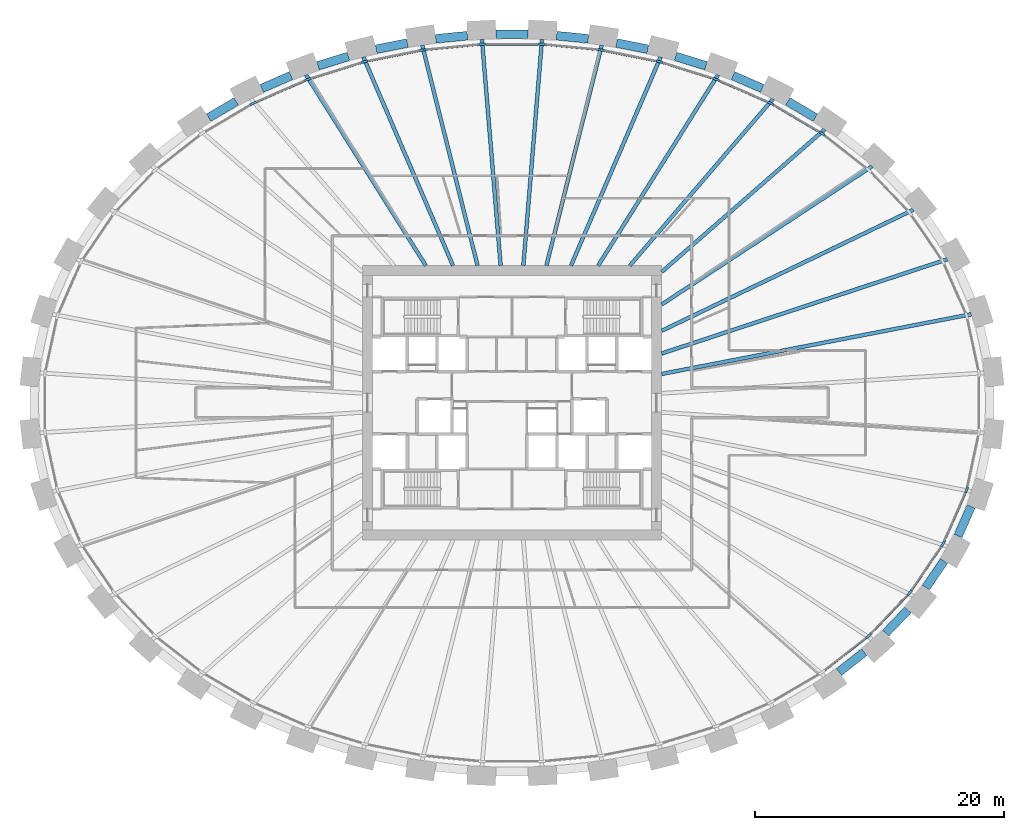
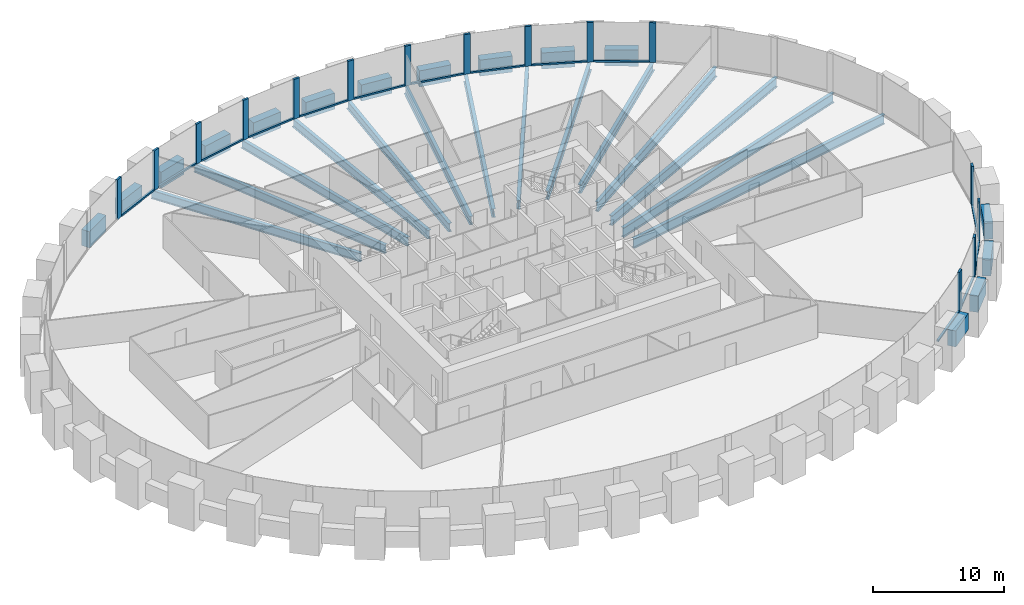
# One storey, part 3 of 11: 29 beams, 29 members, 1 element without a shape of its own.
"""IFC4 building model written with IfcOpenShell, lengths in metres."""

import ifcopenshell
import ifcopenshell.guid

model = None  # the IFC model being written
_history = None  # IfcOwnerHistory: only IFC2X3 demands one
_inside = {}  # id of a spatial element -> (the spatial element, [elements in it])
_under = {}  # id of a project, library or spatial element -> (it, [spatial elements below it])
_declared = {}  # id of a project -> (the project, [libraries it declares])
_typed = {}  # id of a type object -> (the type object, [elements of that type])
_made_of = {}  # id of a material, layer set ... -> (it, [elements and type objects made of it])


def new_model(schema):
    """Start an empty IFC model of exactly this schema.

    Asked for "IFC4X3", IfcOpenShell would pick the latest addendum, in which some entities
    have other attributes; the version numbers below select the first issue.
    IFC2X3 requires an IfcOwnerHistory on every rooted entity: one is made here for all.
    """
    global model, _history
    if schema == "IFC4X3":
        model = ifcopenshell.file(schema_version=(4, 3, 0, 0))
    else:
        model = ifcopenshell.file(schema=schema)
    _inside.clear()
    _under.clear()
    _declared.clear()
    _typed.clear()
    _made_of.clear()
    _history = None
    if model.schema == "IFC2X3":
        org = make("IfcOrganization", Name="unknown")
        user = make(
            "IfcPersonAndOrganization",
            ThePerson=make("IfcPerson", FamilyName="unknown"),
            TheOrganization=org,
        )
        app = make(
            "IfcApplication",
            ApplicationDeveloper=org,
            Version="unknown",
            ApplicationFullName="unknown",
            ApplicationIdentifier="unknown",
        )
        _history = make(
            "IfcOwnerHistory",
            OwningUser=user,
            OwningApplication=app,
            ChangeAction="ADDED",
            CreationDate=0,
        )
    return model


def make(cls, **values):
    """One entity of the class cls with the attributes given. An attribute that is None is left unset."""
    return model.create_entity(
        cls, **{name: value for name, value in values.items() if value is not None}
    )


def rooted(cls, **values):
    """An entity with a GlobalId (a new one), such as an element, a storey or a relation."""
    return make(cls, GlobalId=ifcopenshell.guid.new(), OwnerHistory=_history, **values)


def si_unit(unit_type, name, prefix=None):
    """IfcSIUnit, for example si_unit("LENGTHUNIT", "METRE", prefix="MILLI")."""
    return make("IfcSIUnit", UnitType=unit_type, Prefix=prefix, Name=name)


def assignment(units):
    """IfcUnitAssignment: the units of a project."""
    return None if units is None else make("IfcUnitAssignment", Units=units)


def point(xyz):
    """IfcCartesianPoint."""
    return None if xyz is None else make("IfcCartesianPoint", Coordinates=xyz)


def direction(xyz):
    """IfcDirection."""
    return None if xyz is None else make("IfcDirection", DirectionRatios=xyz)


def frame(location, z_axis=None, x_axis=None):
    """IfcAxis2Placement3D, a coordinate frame: its origin and axes. An axis left out is left unset."""
    return make(
        "IfcAxis2Placement3D",
        Location=point(location),
        Axis=direction(z_axis),
        RefDirection=direction(x_axis),
    )


def frame_2d(location, x_axis=None):
    """IfcAxis2Placement2D, a coordinate frame in the plane: its origin and x axis."""
    return make(
        "IfcAxis2Placement2D", Location=point(location), RefDirection=direction(x_axis)
    )


def origin():
    """The frame at (0, 0, 0) with its axes left unset."""
    return frame((0.0, 0.0, 0.0))


def origin_2d():
    """The frame at (0, 0) in the plane with its x axis left unset."""
    return frame_2d((0.0, 0.0))


def place(relative_to, where):
    """IfcLocalPlacement: puts the frame where relative to a parent placement (None: the world)."""
    return make(
        "IfcLocalPlacement", PlacementRelTo=relative_to, RelativePlacement=where
    )


def context(
    kind, dimensions, precision=None, world=None, true_north=None, identifier=None
):
    """IfcGeometricRepresentationContext, for example the 3D "Model" context."""
    return make(
        "IfcGeometricRepresentationContext",
        ContextIdentifier=identifier,
        ContextType=kind,
        CoordinateSpaceDimension=dimensions,
        Precision=precision,
        WorldCoordinateSystem=world,
        TrueNorth=true_north,
    )


def subcontext(parent, identifier, kind, view, scale=None):
    """IfcGeometricRepresentationSubContext, for example "Body" below "Model"."""
    return make(
        "IfcGeometricRepresentationSubContext",
        ContextIdentifier=identifier,
        ContextType=kind,
        ParentContext=parent,
        TargetScale=scale,
        TargetView=view,
    )


def project(units=None, contexts=None):
    """IfcProject with its units and contexts."""
    return rooted(
        "IfcProject",
        Name="project",
        RepresentationContexts=contexts,
        UnitsInContext=assignment(units),
    )


def spatial(cls, under=None, at=None, **own):
    """A site, building, storey or space (cls), placed at a placement, below another one or the project."""
    s = rooted(cls, ObjectPlacement=at, **own)
    if under is not None:
        _under.setdefault(under.id(), (under, []))[1].append(s)
    return s


def profile(cls, at=None, kind="AREA", **sizes):
    """A parametric profile (cls). Its sizes go by their IFC names, for example OverallWidth=200.0."""
    return make(cls, ProfileType=kind, Position=at, **sizes)


def rectangle(**sizes):
    """IfcRectangleProfileDef."""
    return profile("IfcRectangleProfileDef", **sizes)


def i_section(**sizes):
    """IfcIShapeProfileDef."""
    return profile("IfcIShapeProfileDef", **sizes)


def extrude(swept, where, along, depth):
    """IfcExtrudedAreaSolid: the profile swept, set in the frame where, extruded along a direction by depth."""
    return make(
        "IfcExtrudedAreaSolid",
        SweptArea=swept,
        Position=where,
        ExtrudedDirection=direction(along),
        Depth=depth,
    )


def shape(context_of_items, identifier, shape_type, items):
    """IfcShapeRepresentation: the items that make up one representation, for example the "Body"."""
    return make(
        "IfcShapeRepresentation",
        ContextOfItems=context_of_items,
        RepresentationIdentifier=identifier,
        RepresentationType=shape_type,
        Items=items,
    )


def source(mapping_origin, context_of_items, identifier, shape_type, items):
    """IfcRepresentationMap: a shape defined once, which mapped items show again and again."""
    return make(
        "IfcRepresentationMap",
        MappingOrigin=mapping_origin,
        MappedRepresentation=shape(context_of_items, identifier, shape_type, items),
    )


def transform(
    local_origin,
    x_axis=None,
    y_axis=None,
    z_axis=None,
    scale=None,
    scale2=None,
    scale3=None,
    uniform=True,
):
    """IfcCartesianTransformationOperator3D, or its non-uniform kind. x_axis, y_axis, z_axis: its Axis1, 2, 3."""
    if uniform:
        return make(
            "IfcCartesianTransformationOperator3D",
            Axis1=direction(x_axis),
            Axis2=direction(y_axis),
            LocalOrigin=point(local_origin),
            Scale=scale,
            Axis3=direction(z_axis),
        )
    return make(
        "IfcCartesianTransformationOperator3DnonUniform",
        Axis1=direction(x_axis),
        Axis2=direction(y_axis),
        LocalOrigin=point(local_origin),
        Scale=scale,
        Axis3=direction(z_axis),
        Scale2=scale2,
        Scale3=scale3,
    )


def mapped(mapping_source, mapping_target):
    """IfcMappedItem: shows the shape of a source again, moved by a transform."""
    return make(
        "IfcMappedItem", MappingSource=mapping_source, MappingTarget=mapping_target
    )


def material(Name=None, Category=None):
    """IfcMaterial."""
    return make("IfcMaterial", Name=Name, Category=Category)


def material_profile(
    of_material, cross_section, Name=None, Category=None, Priority=None
):
    """IfcMaterialProfile: a cross section and its material."""
    return make(
        "IfcMaterialProfile",
        Name=Name,
        Material=of_material,
        Profile=cross_section,
        Priority=Priority,
        Category=Category,
    )


def profile_set(profiles, Name=None, composite=None):
    """IfcMaterialProfileSet."""
    return make(
        "IfcMaterialProfileSet",
        Name=Name,
        MaterialProfiles=profiles,
        CompositeProfile=composite,
    )


def made_of(thing, what):
    """Note that an element or type object is made of a material, layer set ...; save() writes the relation."""
    if what is not None:
        _made_of.setdefault(what.id(), (what, []))[1].append(thing)
    return thing


def type_object(cls, material=None, **own):
    """A type object (cls), such as IfcWallType, which elements share."""
    return made_of(rooted(cls, **own), material)


def element(
    cls,
    number,
    at=None,
    inside=None,
    cuts=None,
    type_object=None,
    material=None,
    context=None,
    identifier="Body",
    shape_type=None,
    held_by="IfcProductDefinitionShape",
    body=None,
    shapes=None,
    **own,
):
    """One element of the class cls, such as IfcWall. Its Tag is "e" and its number.

    at: its placement. inside: the storey or other place that contains it. cuts: it is an
    opening in that element (IfcRelVoidsElement). A single representation is given by context,
    identifier, shape_type and body (its items); several are given by shapes. held_by: the class
    of the entity that holds the representations. save() writes the other relations.
    """
    e = rooted(cls, Tag="e%d" % number, ObjectPlacement=at, **own)
    if body is not None:
        shapes = [shape(context, identifier, shape_type, body)]
    if shapes is not None:
        e.Representation = make(held_by, Representations=shapes)
    if inside is not None:
        _inside.setdefault(inside.id(), (inside, []))[1].append(e)
    if cuts is not None:
        rooted(
            "IfcRelVoidsElement", RelatingBuildingElement=cuts, RelatedOpeningElement=e
        )
    if type_object is not None:
        _typed.setdefault(type_object.id(), (type_object, []))[1].append(e)
    return made_of(e, material)


def aggregate(whole, parts):
    """IfcRelAggregates: a whole, such as a stair, and the parts it consists of."""
    return rooted("IfcRelAggregates", RelatingObject=whole, RelatedObjects=parts)


def save(model, path):
    """Write the relations noted so far, then the file.

    IfcRelAggregates (storeys below a building ...), IfcRelContainedInSpatialStructure (elements
    in a storey), IfcRelDefinesByType, IfcRelAssociatesMaterial and IfcRelDeclares: one each for
    every whole, place, type object, material and project.
    """
    for whole, parts in _under.values():
        aggregate(whole, parts)
    for where, things in _inside.values():
        rooted(
            "IfcRelContainedInSpatialStructure",
            RelatedElements=things,
            RelatingStructure=where,
        )
    for kind, things in _typed.values():
        rooted("IfcRelDefinesByType", RelatedObjects=things, RelatingType=kind)
    for what, things in _made_of.values():
        rooted("IfcRelAssociatesMaterial", RelatedObjects=things, RelatingMaterial=what)
    for by, libraries in _declared.values():
        rooted("IfcRelDeclares", RelatingContext=by, RelatedDefinitions=libraries)
    model.write(path)


model = new_model("IFC4")

# Units and contexts
model_context = context("Model", 3, precision=1e-05, world=origin(), true_north=direction((0.0, 1.0)))
body_context = subcontext(model_context, "Body", "Model", "MODEL_VIEW")
ifc_project = project(units=[si_unit("LENGTHUNIT", "METRE"), si_unit("AREAUNIT", "SQUARE_METRE"), si_unit("VOLUMEUNIT", "CUBIC_METRE"), si_unit("PLANEANGLEUNIT", "RADIAN"), si_unit("MASSUNIT", "GRAM", prefix="KILO")], contexts=[model_context])

# Site, building, storey
site_placement = place(None, origin())
site = spatial("IfcSite", under=ifc_project, at=site_placement, CompositionType="ELEMENT")
building_placement = place(site_placement, origin())
building = spatial("IfcBuilding", under=site, at=building_placement, Name="Embergate Tower", CompositionType="ELEMENT")
storey_placement = place(building_placement, frame((0.0, 0.0, 139.800048828125)))
storey = spatial("IfcBuildingStorey", under=building, at=storey_placement, Name="L30", CompositionType="ELEMENT", Elevation=139.800048828125)

# Beams
ifc_material_1 = material(Name="Concrete C70", Category="concrete")
ifc_material_profile_1 = material_profile(ifc_material_1, rectangle(XDim=0.699951171875, YDim=1.5, at=origin_2d()), Name="RC 700x1500")
ifc_profile_set_1 = profile_set([ifc_material_profile_1], Name="Concrete C70")
beam_type_1 = type_object("IfcBeamType", Name="Spandrel beam RC 700x1500 C70", PredefinedType="BEAM", material=ifc_profile_set_1)
shared_shape_1 = source(origin(), body_context, "Body", "SweptSolid", [
    extrude(rectangle(XDim=0.699951171875, YDim=1.5, at=origin_2d()), origin(), (0.0, 0.0, 1.0), 2.5888671875),
])
beam_1_placement = place(storey_placement, frame((35.76806640625, -10.678955078125, 0.0), z_axis=(0.401723931702, 0.915760821775, 0.0), x_axis=(-0.915760821775, 0.401723931702, 0.0)))
element("IfcBeam", 1, at=beam_1_placement, inside=storey, type_object=beam_type_1, Name="SPN-L30-41", PredefinedType="BEAM", context=body_context, shape_type="MappedRepresentation", body=[
    mapped(shared_shape_1, transform((0.0, 0.0, 0.0))),
])
shared_shape_2 = source(origin(), body_context, "Body", "SweptSolid", [
    extrude(rectangle(XDim=0.699951171875, YDim=1.5, at=origin_2d()), origin(), (0.0, 0.0, 1.0), 2.5791015625),
])
beam_2_placement = place(storey_placement, frame((33.18701171875, -14.81396484375, 0.0), z_axis=(0.562170202136, 0.82702156189, 0.0), x_axis=(-0.82702156189, 0.562170202136, 0.0)))
element("IfcBeam", 2, at=beam_2_placement, inside=storey, type_object=beam_type_1, Name="SPN-L30-40", PredefinedType="BEAM", context=body_context, shape_type="MappedRepresentation", body=[
    mapped(shared_shape_2, transform((0.0, 0.0, 0.0))),
])
shared_shape_3 = source(origin(), body_context, "Body", "SweptSolid", [
    extrude(rectangle(XDim=0.699951171875, YDim=1.5, at=origin_2d()), origin(), (0.0, 0.0, 1.0), 2.574462890625),
])
beam_3_placement = place(storey_placement, frame((29.964111328125, -18.466064453125, 0.0), z_axis=(0.690171205001, 0.72364612055, 0.0), x_axis=(-0.72364612055, 0.690171205001, 0.0)))
element("IfcBeam", 3, at=beam_3_placement, inside=storey, type_object=beam_type_1, Name="SPN-L30-39", PredefinedType="BEAM", context=body_context, shape_type="MappedRepresentation", body=[
    mapped(shared_shape_3, transform((0.0, 0.0, 0.0))),
])
shared_shape_4 = source(origin(), body_context, "Body", "SweptSolid", [
    extrude(rectangle(XDim=0.699951171875, YDim=1.5, at=origin_2d()), origin(), (0.0, 0.0, 1.0), 2.56689453125),
])
beam_4_placement = place(storey_placement, frame((26.222900390625, -21.574951171875, 0.0), z_axis=(0.788172869351, 0.615453920305, 0.0), x_axis=(-0.615453920305, 0.788172869351, 0.0)))
element("IfcBeam", 4, at=beam_4_placement, inside=storey, type_object=beam_type_1, Name="SPN-L30-38", PredefinedType="BEAM", context=body_context, shape_type="MappedRepresentation", body=[
    mapped(shared_shape_4, transform((0.0, 0.0, 0.0))),
])
shared_shape_5 = source(origin(), body_context, "Body", "SweptSolid", [
    extrude(rectangle(XDim=0.699951171875, YDim=1.5, at=origin_2d()), origin(), (0.0, 0.0, 1.0), 2.561279296875),
])
for number, where, z_axis, x_axis, name in (
    (5, (24.321044921875, 22.867919921875, 0.0), (-0.862059156479, 0.506807666409, 0.0), (-0.506807666409, -0.862059156479, 0.0), "SPN-L30-05"),
    (6, (-22.113037109375, 24.166015625, 0.0), (-0.862059156479, -0.506807666409, 0.0), (0.506807666409, -0.862059156479, 0.0), "SPN-L30-15"),
):
    element("IfcBeam", number, at=place(storey_placement, frame(where, z_axis=z_axis, x_axis=x_axis)), inside=storey, type_object=beam_type_1, Name=name, PredefinedType="BEAM", context=body_context, shape_type="MappedRepresentation", body=[
        mapped(shared_shape_5, transform((0.0, 0.0, 0.0))),
    ])
shared_shape_6 = source(origin(), body_context, "Body", "SweptSolid", [
    extrude(rectangle(XDim=0.699951171875, YDim=1.5, at=origin_2d()), origin(), (0.0, 0.0, 1.0), 2.558837890625),
])
for number, where, z_axis, x_axis, name in (
    (7, (20.06396484375, 25.2119140625, 0.0), (-0.916408972809, 0.40024316928, 0.0), (-0.40024316928, -0.916408972809, 0.0), "SPN-L30-06"),
    (8, (-17.718994140625, 26.236083984375, 0.0), (-0.916408972809, -0.40024316928, 0.0), (0.40024316928, -0.916408972809, 0.0), "SPN-L30-14"),
):
    element("IfcBeam", number, at=place(storey_placement, frame(where, z_axis=z_axis, x_axis=x_axis)), inside=storey, type_object=beam_type_1, Name=name, PredefinedType="BEAM", context=body_context, shape_type="MappedRepresentation", body=[
        mapped(shared_shape_6, transform((0.0, 0.0, 0.0))),
    ])
shared_shape_7 = source(origin(), body_context, "Body", "SweptSolid", [
    extrude(rectangle(XDim=0.699951171875, YDim=1.5, at=origin_2d()), origin(), (0.0, 0.0, 1.0), 2.5537109375),
])
for number, where, z_axis, x_axis, name in (
    (9, (15.556884765625, 27.02099609375, 0.0), (-0.954687282826, 0.297610806273, 0.0), (-0.297610806273, -0.954687282826, 0.0), "SPN-L30-07"),
    (10, (-13.118896484375, 27.781005859375, 0.0), (-0.954687282826, -0.297610806273, 0.0), (0.297610806273, -0.954687282826, 0.0), "SPN-L30-13"),
):
    element("IfcBeam", number, at=place(storey_placement, frame(where, z_axis=z_axis, x_axis=x_axis)), inside=storey, type_object=beam_type_1, Name=name, PredefinedType="BEAM", context=body_context, shape_type="MappedRepresentation", body=[
        mapped(shared_shape_7, transform((0.0, 0.0, 0.0))),
    ])
shared_shape_8 = source(origin(), body_context, "Body", "SweptSolid", [
    extrude(rectangle(XDim=0.699951171875, YDim=1.5, at=origin_2d()), origin(), (0.0, 0.0, 1.0), 2.552734375),
])
for number, where, z_axis, x_axis, name in (
    (11, (10.889892578125, 28.35009765625, 0.0), (-0.980477546037, 0.196631080243, 0.0), (-0.196631080243, -0.980477546037, 0.0), "SPN-L30-08"),
    (12, (-8.386962890625, 28.85205078125, 0.0), (-0.980477546037, -0.196631080243, 0.0), (0.196631080243, -0.980477546037, 0.0), "SPN-L30-12"),
):
    element("IfcBeam", number, at=place(storey_placement, frame(where, z_axis=z_axis, x_axis=x_axis)), inside=storey, type_object=beam_type_1, Name=name, PredefinedType="BEAM", context=body_context, shape_type="MappedRepresentation", body=[
        mapped(shared_shape_8, transform((0.0, 0.0, 0.0))),
    ])
shared_shape_9 = source(origin(), body_context, "Body", "SweptSolid", [
    extrude(rectangle(XDim=0.699951171875, YDim=1.5, at=origin_2d()), origin(), (0.0, 0.0, 1.0), 2.55126953125),
])
for number, where, z_axis, x_axis, name in (
    (13, (6.112060546875, 29.19091796875, 0.0), (-0.995224880302, 0.09760859403, 0.0), (-0.09760859403, -0.995224880302, 0.0), "SPN-L30-09"),
    (14, (-3.572998046875, 29.43994140625, 0.0), (-0.995224880302, -0.09760859403, 0.0), (0.09760859403, -0.995224880302, 0.0), "SPN-L30-11"),
):
    element("IfcBeam", number, at=place(storey_placement, frame(where, z_axis=z_axis, x_axis=x_axis)), inside=storey, type_object=beam_type_1, Name=name, PredefinedType="BEAM", context=body_context, shape_type="MappedRepresentation", body=[
        mapped(shared_shape_9, transform((0.0, 0.0, 0.0))),
    ])
shared_shape_10 = source(origin(), body_context, "Body", "SweptSolid", [
    extrude(rectangle(XDim=0.699951171875, YDim=1.5, at=origin_2d()), origin(), (0.0, 0.0, 1.0), 2.5517578125),
])
beam_5_placement = place(storey_placement, frame((1.27587890625, 29.552978515625, 0.0), z_axis=(-1.0, 0.0, 0.0), x_axis=(0.0, -1.0, 0.0)))
element("IfcBeam", 15, at=beam_5_placement, inside=storey, type_object=beam_type_1, Name="SPN-L30-10", PredefinedType="BEAM", context=body_context, shape_type="MappedRepresentation", body=[
    mapped(shared_shape_10, transform((0.0, 0.0, 0.0))),
])
ifc_material_2 = material(Name="Steel Q355B", Category="steel")
ifc_material_profile_2 = material_profile(ifc_material_2, i_section(OverallWidth=0.300048828125, OverallDepth=0.89990234375, WebThickness=0.01611328125, FlangeThickness=0.028076171875, FilletRadius=0.028076171875, at=origin_2d()), Name="HN 900x300x16x28")
ifc_profile_set_2 = profile_set([ifc_material_profile_2], Name="Steel Q355 grade B")
beam_type_2 = type_object("IfcBeamType", Name="Radial girder HN 900x300x16x28", PredefinedType="BEAM", material=ifc_profile_set_2)
shared_shape_11 = source(origin(), body_context, "Body", "SweptSolid", [
    extrude(i_section(OverallWidth=0.300048828125, OverallDepth=0.89990234375, WebThickness=0.01611328125, FlangeThickness=0.028076171875, FilletRadius=0.028076171875, at=origin_2d()), origin(), (0.0, 0.0, 1.0), 25.28076171875),
])
beam_6_placement = place(storey_placement, frame((36.822998046875, 7.10400390625, -0.650146484375), z_axis=(-0.981893236668, -0.189435138731, 0.0), x_axis=(0.189435138731, -0.981893236668, 0.0)))
element("IfcBeam", 16, at=beam_6_placement, inside=storey, type_object=beam_type_2, Name="GIR-L30-01", PredefinedType="BEAM", context=body_context, shape_type="MappedRepresentation", body=[
    mapped(shared_shape_11, transform((0.0, 0.0, 0.0))),
])
shared_shape_12 = source(origin(), body_context, "Body", "SweptSolid", [
    extrude(i_section(OverallWidth=0.300048828125, OverallDepth=0.89990234375, WebThickness=0.01611328125, FlangeThickness=0.028076171875, FilletRadius=0.028076171875, at=origin_2d()), origin(), (0.0, 0.0, 1.0), 24.10498046875),
])
beam_7_placement = place(storey_placement, frame((34.89208984375, 11.507080078125, -0.650146484375), z_axis=(-0.949682225523, -0.313215054756, 0.0), x_axis=(0.313215054756, -0.949682225523, 0.0)))
element("IfcBeam", 17, at=beam_7_placement, inside=storey, type_object=beam_type_2, Name="GIR-L30-02", PredefinedType="BEAM", context=body_context, shape_type="MappedRepresentation", body=[
    mapped(shared_shape_12, transform((0.0, 0.0, 0.0))),
])
shared_shape_13 = source(origin(), body_context, "Body", "SweptSolid", [
    extrude(i_section(OverallWidth=0.300048828125, OverallDepth=0.89990234375, WebThickness=0.01611328125, FlangeThickness=0.028076171875, FilletRadius=0.028076171875, at=origin_2d()), origin(), (0.0, 0.0, 1.0), 22.4013671875),
])
beam_8_placement = place(storey_placement, frame((32.18701171875, 15.48388671875, -0.650146484375), z_axis=(-0.901154023355, -0.433499049815, 0.0), x_axis=(0.433499049815, -0.901154023355, 0.0)))
element("IfcBeam", 18, at=beam_8_placement, inside=storey, type_object=beam_type_2, Name="GIR-L30-03", PredefinedType="BEAM", context=body_context, shape_type="MappedRepresentation", body=[
    mapped(shared_shape_13, transform((0.0, 0.0, 0.0))),
])
shared_shape_14 = source(origin(), body_context, "Body", "SweptSolid", [
    extrude(i_section(OverallWidth=0.300048828125, OverallDepth=0.89990234375, WebThickness=0.01611328125, FlangeThickness=0.028076171875, FilletRadius=0.028076171875, at=origin_2d()), origin(), (0.0, 0.0, 1.0), 20.180908203125),
])
beam_9_placement = place(storey_placement, frame((28.865966796875, 18.966064453125, -0.650146484375), z_axis=(-0.835735460255, -0.549132261365, 0.0), x_axis=(0.549132261365, -0.835735460255, 0.0)))
element("IfcBeam", 19, at=beam_9_placement, inside=storey, type_object=beam_type_2, Name="GIR-L30-04", PredefinedType="BEAM", context=body_context, shape_type="MappedRepresentation", body=[
    mapped(shared_shape_14, transform((0.0, 0.0, 0.0))),
])
ifc_material_profile_3 = material_profile(ifc_material_2, i_section(OverallWidth=0.300048828125, OverallDepth=0.800048828125, WebThickness=0.013916015625, FlangeThickness=0.02587890625, FilletRadius=0.028076171875, at=origin_2d()), Name="HN 800x300x14x26")
ifc_profile_set_3 = profile_set([ifc_material_profile_3], Name="Steel Q355 grade B")
beam_type_3 = type_object("IfcBeamType", Name="Radial girder HN 800x300x14x26", PredefinedType="BEAM", material=ifc_profile_set_3)
shared_shape_15 = source(origin(), body_context, "Body", "SweptSolid", [
    extrude(i_section(OverallWidth=0.300048828125, OverallDepth=0.800048828125, WebThickness=0.013916015625, FlangeThickness=0.02587890625, FilletRadius=0.028076171875, at=origin_2d()), origin(), (0.0, 0.0, 1.0), 17.3671875),
])
beam_10_placement = place(storey_placement, frame((25.072998046875, 21.927001953125, -0.60009765625), z_axis=(-0.752741256854, -0.658316489411, 0.0), x_axis=(0.658316489411, -0.752741256854, 0.0)))
element("IfcBeam", 20, at=beam_10_placement, inside=storey, type_object=beam_type_3, Name="GIR-L30-05", PredefinedType="BEAM", context=body_context, shape_type="MappedRepresentation", body=[
    mapped(shared_shape_15, transform((0.0, 0.0, 0.0))),
])
shared_shape_16 = source(origin(), body_context, "Body", "SweptSolid", [
    extrude(i_section(OverallWidth=0.300048828125, OverallDepth=0.800048828125, WebThickness=0.013916015625, FlangeThickness=0.02587890625, FilletRadius=0.028076171875, at=origin_2d()), origin(), (0.0, 0.0, 1.0), 17.617919921875),
])
beam_11_placement = place(storey_placement, frame((20.924072265625, 24.365966796875, -0.60009765625), z_axis=(-0.651494074711, -0.75865372247, 0.0), x_axis=(0.75865372247, -0.651494074711, 0.0)))
element("IfcBeam", 21, at=beam_11_placement, inside=storey, type_object=beam_type_3, Name="GIR-L30-06", PredefinedType="BEAM", context=body_context, shape_type="MappedRepresentation", body=[
    mapped(shared_shape_16, transform((0.0, 0.0, 0.0))),
])
shared_shape_17 = source(origin(), body_context, "Body", "SweptSolid", [
    extrude(i_section(OverallWidth=0.300048828125, OverallDepth=0.800048828125, WebThickness=0.013916015625, FlangeThickness=0.02587890625, FilletRadius=0.028076171875, at=origin_2d()), origin(), (0.0, 0.0, 1.0), 18.060546875),
])
for number, where, z_axis, x_axis, name in (
    (22, (16.513916015625, 26.2939453125, -0.60009765625), (-0.531878610528, -0.846820608903, 0.0), (0.846820608903, -0.531878610528, 0.0), "GIR-L30-07"),
    (23, (-16.513916015625, 26.2939453125, -0.60009765625), (0.531878610528, -0.846820608903, 0.0), (0.846820608903, 0.531878610528, 0.0), "GIR-L30-14"),
):
    element("IfcBeam", number, at=place(storey_placement, frame(where, z_axis=z_axis, x_axis=x_axis)), inside=storey, type_object=beam_type_3, Name=name, PredefinedType="BEAM", context=body_context, shape_type="MappedRepresentation", body=[
        mapped(shared_shape_17, transform((0.0, 0.0, 0.0))),
    ])
shared_shape_18 = source(origin(), body_context, "Body", "SweptSolid", [
    extrude(i_section(OverallWidth=0.300048828125, OverallDepth=0.800048828125, WebThickness=0.013916015625, FlangeThickness=0.02587890625, FilletRadius=0.028076171875, at=origin_2d()), origin(), (0.0, 0.0, 1.0), 18.2060546875),
])
for number, where, z_axis, x_axis, name in (
    (24, (11.91796875, 27.72607421875, -0.60009765625), (-0.394922496681, -0.918714439647, 0.0), (0.918714439647, -0.394922496681, 0.0), "GIR-L30-08"),
    (25, (-11.91796875, 27.72607421875, -0.60009765625), (0.394922496681, -0.918714439647, 0.0), (0.918714439647, 0.394922496681, 0.0), "GIR-L30-13"),
):
    element("IfcBeam", number, at=place(storey_placement, frame(where, z_axis=z_axis, x_axis=x_axis)), inside=storey, type_object=beam_type_3, Name=name, PredefinedType="BEAM", context=body_context, shape_type="MappedRepresentation", body=[
        mapped(shared_shape_18, transform((0.0, 0.0, 0.0))),
    ])
shared_shape_19 = source(origin(), body_context, "Body", "SweptSolid", [
    extrude(i_section(OverallWidth=0.300048828125, OverallDepth=0.800048828125, WebThickness=0.013916015625, FlangeThickness=0.02587890625, FilletRadius=0.028076171875, at=origin_2d()), origin(), (0.0, 0.0, 1.0), 18.220703125),
])
for number, where, z_axis, x_axis, name in (
    (26, (7.197998046875, 28.672119140625, -0.60009765625), (-0.243516003071, -0.969896879183, 0.0), (0.969896879183, -0.243516003071, 0.0), "GIR-L30-09"),
    (27, (-7.197998046875, 28.672119140625, -0.60009765625), (0.243516003071, -0.969896879183, 0.0), (0.969896879183, 0.243516003071, 0.0), "GIR-L30-12"),
):
    element("IfcBeam", number, at=place(storey_placement, frame(where, z_axis=z_axis, x_axis=x_axis)), inside=storey, type_object=beam_type_3, Name=name, PredefinedType="BEAM", context=body_context, shape_type="MappedRepresentation", body=[
        mapped(shared_shape_19, transform((0.0, 0.0, 0.0))),
    ])
shared_shape_20 = source(origin(), body_context, "Body", "SweptSolid", [
    extrude(i_section(OverallWidth=0.300048828125, OverallDepth=0.800048828125, WebThickness=0.013916015625, FlangeThickness=0.02587890625, FilletRadius=0.028076171875, at=origin_2d()), origin(), (0.0, 0.0, 1.0), 18.204833984375),
])
for number, where, z_axis, x_axis, name in (
    (28, (2.406982421875, 29.14306640625, -0.60009765625), (-0.082288533097, -0.996608547686, 0.0), (0.996608547686, -0.082288533097, 0.0), "GIR-L30-10"),
    (29, (-2.406982421875, 29.14306640625, -0.60009765625), (0.082288533097, -0.996608547686, 0.0), (0.996608547686, 0.082288533097, 0.0), "GIR-L30-11"),
):
    element("IfcBeam", number, at=place(storey_placement, frame(where, z_axis=z_axis, x_axis=x_axis)), inside=storey, type_object=beam_type_3, Name=name, PredefinedType="BEAM", context=body_context, shape_type="MappedRepresentation", body=[
        mapped(shared_shape_20, transform((0.0, 0.0, 0.0))),
    ])

# Curtain wall, members
ifc_material_3 = material(Name="Aluminium and glass", Category="aluminium")
curtain_wall_type = type_object("IfcCurtainWallType", Name="Recessed office glazing", PredefinedType="NOTDEFINED", material=ifc_material_3)
curtain_wall_placement = place(storey_placement, origin())
curtain_wall = element("IfcCurtainWall", 30, at=curtain_wall_placement, inside=storey, type_object=curtain_wall_type, Name="Recessed office glazing ring", ObjectType="RECESSED OFFICE GLAZING", PredefinedType="USERDEFINED")
ifc_material_4 = material(Name="Aluminium, thermally broken", Category="aluminium")
ifc_material_profile_4 = material_profile(ifc_material_4, rectangle(XDim=0.179931640625, YDim=0.52001953125, at=origin_2d()), Name="AL 520x180")
ifc_profile_set_4 = profile_set([ifc_material_profile_4], Name="Aluminium, thermally broken")
member_type_1 = type_object("IfcMemberType", Name="Office mullion", PredefinedType="MULLION", material=ifc_profile_set_4)
shared_shape_21 = source(origin(), body_context, "Body", "SweptSolid", [
    extrude(rectangle(XDim=0.179931640625, YDim=0.52001953125, at=origin_2d()), origin(), (0.0, 0.0, 1.0), 3.699951171875),
])
member_1_placement = place(storey_placement, frame((24.8544921875, 21.603515625, 0.0), z_axis=(0.0, 0.0, 1.0), x_axis=(-0.562214731803, -0.826991290972, 0.0)))
member_1 = element("IfcMember", 31, at=member_1_placement, type_object=member_type_1, Name="CW mullion 6", PredefinedType="MULLION", context=body_context, shape_type="MappedRepresentation", body=[
    mapped(shared_shape_21, transform((0.0, 0.0, 0.0))),
])
member_2_placement = place(storey_placement, frame((20.74755859375, 24.018310546875, 0.0), z_axis=(0.0, 0.0, 1.0), x_axis=(-0.454508271251, -0.890742516872, 0.0)))
member_2 = element("IfcMember", 32, at=member_2_placement, type_object=member_type_1, Name="CW mullion 7", PredefinedType="MULLION", context=body_context, shape_type="MappedRepresentation", body=[
    mapped(shared_shape_21, transform((0.0, 0.0, 0.0))),
])
member_3_placement = place(storey_placement, frame((16.378173828125, 25.9287109375, 0.0), z_axis=(0.0, 0.0, 1.0), x_axis=(-0.349501047589, -0.936935973124, 0.0)))
member_3 = element("IfcMember", 33, at=member_3_placement, type_object=member_type_1, Name="CW mullion 8", PredefinedType="MULLION", context=body_context, shape_type="MappedRepresentation", body=[
    mapped(shared_shape_21, transform((0.0, 0.0, 0.0))),
])
member_4_placement = place(storey_placement, frame((11.82177734375, 27.34765625, 0.0), z_axis=(0.0, 0.0, 1.0), x_axis=(-0.247310190257, -0.968936360034, 0.0)))
member_4 = element("IfcMember", 34, at=member_4_placement, type_object=member_type_1, Name="CW mullion 9", PredefinedType="MULLION", context=body_context, shape_type="MappedRepresentation", body=[
    mapped(shared_shape_21, transform((0.0, 0.0, 0.0))),
])
member_5_placement = place(storey_placement, frame((7.140625, 28.28662109375, 0.0), z_axis=(0.0, 0.0, 1.0), x_axis=(-0.147410656556, -0.989075375456, 0.0)))
member_5 = element("IfcMember", 35, at=member_5_placement, type_object=member_type_1, Name="CW mullion 10", PredefinedType="MULLION", context=body_context, shape_type="MappedRepresentation", body=[
    mapped(shared_shape_21, transform((0.0, 0.0, 0.0))),
])
member_6_placement = place(storey_placement, frame((2.387939453125, 28.753662109375, 0.0), z_axis=(0.0, 0.0, 1.0), x_axis=(-0.048971796621, -0.998800161762, 0.0)))
member_6 = element("IfcMember", 36, at=member_6_placement, type_object=member_type_1, Name="CW mullion 11", PredefinedType="MULLION", context=body_context, shape_type="MappedRepresentation", body=[
    mapped(shared_shape_21, transform((0.0, 0.0, 0.0))),
])
member_7_placement = place(storey_placement, frame((-2.387939453125, 28.753662109375, 0.0), z_axis=(0.0, 0.0, 1.0), x_axis=(0.048971796621, -0.998800161762, 0.0)))
member_7 = element("IfcMember", 37, at=member_7_placement, type_object=member_type_1, Name="CW mullion 12", PredefinedType="MULLION", context=body_context, shape_type="MappedRepresentation", body=[
    mapped(shared_shape_21, transform((0.0, 0.0, 0.0))),
])
member_8_placement = place(storey_placement, frame((-7.140625, 28.28662109375, 0.0), z_axis=(0.0, 0.0, 1.0), x_axis=(0.147410656556, -0.989075375456, 0.0)))
member_8 = element("IfcMember", 38, at=member_8_placement, type_object=member_type_1, Name="CW mullion 13", PredefinedType="MULLION", context=body_context, shape_type="MappedRepresentation", body=[
    mapped(shared_shape_21, transform((0.0, 0.0, 0.0))),
])
member_9_placement = place(storey_placement, frame((-11.82177734375, 27.34765625, 0.0), z_axis=(0.0, 0.0, 1.0), x_axis=(0.247310190257, -0.968936360034, 0.0)))
member_9 = element("IfcMember", 39, at=member_9_placement, type_object=member_type_1, Name="CW mullion 14", PredefinedType="MULLION", context=body_context, shape_type="MappedRepresentation", body=[
    mapped(shared_shape_21, transform((0.0, 0.0, 0.0))),
])
member_10_placement = place(storey_placement, frame((-16.378173828125, 25.9287109375, 0.0), z_axis=(0.0, 0.0, 1.0), x_axis=(0.349501047589, -0.936935973124, 0.0)))
member_10 = element("IfcMember", 40, at=member_10_placement, type_object=member_type_1, Name="CW mullion 15", PredefinedType="MULLION", context=body_context, shape_type="MappedRepresentation", body=[
    mapped(shared_shape_21, transform((0.0, 0.0, 0.0))),
])
member_11_placement = place(storey_placement, frame((-20.74755859375, 24.018310546875, 0.0), z_axis=(0.0, 0.0, 1.0), x_axis=(0.454508271251, -0.890742516872, 0.0)))
member_11 = element("IfcMember", 41, at=member_11_placement, type_object=member_type_1, Name="CW mullion 16", PredefinedType="MULLION", context=body_context, shape_type="MappedRepresentation", body=[
    mapped(shared_shape_21, transform((0.0, 0.0, 0.0))),
])
member_12_placement = place(storey_placement, frame((28.605712890625, -18.676025390625, 0.0), z_axis=(0.0, 0.0, 1.0), x_axis=(-0.671225240226, 0.741253449829, 0.0)))
member_12 = element("IfcMember", 42, at=member_12_placement, type_object=member_type_1, Name="CW mullion 40", PredefinedType="MULLION", context=body_context, shape_type="MappedRepresentation", body=[
    mapped(shared_shape_21, transform((0.0, 0.0, 0.0))),
])
member_13_placement = place(storey_placement, frame((31.88427734375, -15.238037109375, 0.0), z_axis=(0.0, 0.0, 1.0), x_axis=(-0.777871467551, 0.628423408198, 0.0)))
member_13 = element("IfcMember", 43, at=member_13_placement, type_object=member_type_1, Name="CW mullion 41", PredefinedType="MULLION", context=body_context, shape_type="MappedRepresentation", body=[
    mapped(shared_shape_21, transform((0.0, 0.0, 0.0))),
])
member_14_placement = place(storey_placement, frame((34.55078125, -11.31689453125, 0.0), z_axis=(0.0, 0.0, 1.0), x_axis=(-0.875001895832, 0.484119491748, 0.0)))
member_14 = element("IfcMember", 44, at=member_14_placement, type_object=member_type_1, Name="CW mullion 42", PredefinedType="MULLION", context=body_context, shape_type="MappedRepresentation", body=[
    mapped(shared_shape_21, transform((0.0, 0.0, 0.0))),
])
member_15_placement = place(storey_placement, frame((36.451904296875, -6.982177734375, 0.0), z_axis=(0.0, 0.0, 1.0), x_axis=(-0.951497797992, 0.307655554826, 0.0)))
member_15 = element("IfcMember", 45, at=member_15_placement, type_object=member_type_1, Name="CW mullion 43", PredefinedType="MULLION", context=body_context, shape_type="MappedRepresentation", body=[
    mapped(shared_shape_21, transform((0.0, 0.0, 0.0))),
])
ifc_material_profile_5 = material_profile(ifc_material_4, rectangle(XDim=0.179931640625, YDim=0.14990234375, at=origin_2d()), Name="AL 150x180")
ifc_profile_set_5 = profile_set([ifc_material_profile_5], Name="Aluminium, thermally broken")
member_type_2 = type_object("IfcMemberType", Name="Office sill transom", PredefinedType="USERDEFINED", material=ifc_profile_set_5)
shared_shape_22 = source(origin(), body_context, "Body", "SweptSolid", [
    extrude(rectangle(XDim=0.179931640625, YDim=0.14990234375, at=origin_2d()), origin(), (0.0, 0.0, 1.0), 4.25439453125),
])
member_16_placement = place(storey_placement, frame((11.56689453125, 27.398681640625, 0.074951171875), z_axis=(-0.980472378795, 0.196656844325, 0.0), x_axis=(-0.196656844325, -0.980472378795, 0.0)))
member_16 = element("IfcMember", 46, at=member_16_placement, type_object=member_type_2, Name="CW transom 9.1", ObjectType="TRANSOM", PredefinedType="USERDEFINED", context=body_context, shape_type="MappedRepresentation", body=[
    mapped(shared_shape_22, transform((0.0, 0.0, 0.0))),
])
member_17_placement = place(storey_placement, frame((-7.3955078125, 28.2353515625, 0.074951171875), z_axis=(-0.980472378795, -0.196656844325, 0.0), x_axis=(0.196656844325, -0.980472378795, 0.0)))
member_17 = element("IfcMember", 47, at=member_17_placement, type_object=member_type_2, Name="CW transom 13.1", ObjectType="TRANSOM", PredefinedType="USERDEFINED", context=body_context, shape_type="MappedRepresentation", body=[
    mapped(shared_shape_22, transform((0.0, 0.0, 0.0))),
])
shared_shape_23 = source(origin(), body_context, "Body", "SweptSolid", [
    extrude(rectangle(XDim=0.179931640625, YDim=0.14990234375, at=origin_2d()), origin(), (0.0, 0.0, 1.0), 4.213134765625),
])
member_18_placement = place(storey_placement, frame((34.655517578125, -11.07861328125, 0.074951171875), z_axis=(0.40163335885, 0.915800548733, 0.0), x_axis=(-0.915800548733, 0.40163335885, 0.0)))
member_18 = element("IfcMember", 48, at=member_18_placement, type_object=member_type_2, Name="CW transom 42.1", ObjectType="TRANSOM", PredefinedType="USERDEFINED", context=body_context, shape_type="MappedRepresentation", body=[
    mapped(shared_shape_23, transform((0.0, 0.0, 0.0))),
])
shared_shape_24 = source(origin(), body_context, "Body", "SweptSolid", [
    extrude(rectangle(XDim=0.179931640625, YDim=0.14990234375, at=origin_2d()), origin(), (0.0, 0.0, 1.0), 4.22216796875),
])
member_19_placement = place(storey_placement, frame((32.030517578125, -15.02294921875, 0.074951171875), z_axis=(0.562349562031, 0.826899613063, 0.0), x_axis=(-0.826899613063, 0.562349562031, 0.0)))
member_19 = element("IfcMember", 49, at=member_19_placement, type_object=member_type_2, Name="CW transom 41.1", ObjectType="TRANSOM", PredefinedType="USERDEFINED", context=body_context, shape_type="MappedRepresentation", body=[
    mapped(shared_shape_24, transform((0.0, 0.0, 0.0))),
])
shared_shape_25 = source(origin(), body_context, "Body", "SweptSolid", [
    extrude(rectangle(XDim=0.179931640625, YDim=0.14990234375, at=origin_2d()), origin(), (0.0, 0.0, 1.0), 4.230712890625),
])
member_20_placement = place(storey_placement, frame((28.784912109375, -18.48779296875, 0.074951171875), z_axis=(0.690173739415, 0.723643703367, 0.0), x_axis=(-0.723643703367, 0.690173739415, 0.0)))
member_20 = element("IfcMember", 50, at=member_20_placement, type_object=member_type_2, Name="CW transom 40.1", ObjectType="TRANSOM", PredefinedType="USERDEFINED", context=body_context, shape_type="MappedRepresentation", body=[
    mapped(shared_shape_25, transform((0.0, 0.0, 0.0))),
])
shared_shape_26 = source(origin(), body_context, "Body", "SweptSolid", [
    extrude(rectangle(XDim=0.179931640625, YDim=0.14990234375, at=origin_2d()), origin(), (0.0, 0.0, 1.0), 4.23828125),
])
member_21_placement = place(storey_placement, frame((25.0595703125, -21.443603515625, 0.074951171875), z_axis=(0.788315102029, 0.615271728518, 0.0), x_axis=(-0.615271728518, 0.788315102029, 0.0)))
member_21 = element("IfcMember", 51, at=member_21_placement, type_object=member_type_2, Name="CW transom 39.1", ObjectType="TRANSOM", PredefinedType="USERDEFINED", context=body_context, shape_type="MappedRepresentation", body=[
    mapped(shared_shape_26, transform((0.0, 0.0, 0.0))),
])
shared_shape_27 = source(origin(), body_context, "Body", "SweptSolid", [
    extrude(rectangle(XDim=0.179931640625, YDim=0.14990234375, at=origin_2d()), origin(), (0.0, 0.0, 1.0), 4.244140625),
])
member_22_placement = place(storey_placement, frame((24.63037109375, 21.7353515625, 0.074951171875), z_axis=(-0.862042143977, 0.506836602868, 0.0), x_axis=(-0.506836602868, -0.862042143977, 0.0)))
member_22 = element("IfcMember", 52, at=member_22_placement, type_object=member_type_2, Name="CW transom 6.1", ObjectType="TRANSOM", PredefinedType="USERDEFINED", context=body_context, shape_type="MappedRepresentation", body=[
    mapped(shared_shape_27, transform((0.0, 0.0, 0.0))),
])
shared_shape_28 = source(origin(), body_context, "Body", "SweptSolid", [
    extrude(rectangle(XDim=0.179931640625, YDim=0.14990234375, at=origin_2d()), origin(), (0.0, 0.0, 1.0), 4.2490234375),
])
member_23_placement = place(storey_placement, frame((20.50927734375, 24.122314453125, 0.074951171875), z_axis=(-0.91622853094, 0.400656060845, 0.0), x_axis=(-0.400656060845, -0.91622853094, 0.0)))
member_23 = element("IfcMember", 53, at=member_23_placement, type_object=member_type_2, Name="CW transom 7.1", ObjectType="TRANSOM", PredefinedType="USERDEFINED", context=body_context, shape_type="MappedRepresentation", body=[
    mapped(shared_shape_28, transform((0.0, 0.0, 0.0))),
])
member_24_placement = place(storey_placement, frame((-16.6162109375, 25.82470703125, 0.074951171875), z_axis=(-0.91622853094, -0.400656060845, 0.0), x_axis=(0.400656060845, -0.91622853094, 0.0)))
member_24 = element("IfcMember", 54, at=member_24_placement, type_object=member_type_2, Name="CW transom 15.1", ObjectType="TRANSOM", PredefinedType="USERDEFINED", context=body_context, shape_type="MappedRepresentation", body=[
    mapped(shared_shape_28, transform((0.0, 0.0, 0.0))),
])
shared_shape_29 = source(origin(), body_context, "Body", "SweptSolid", [
    extrude(rectangle(XDim=0.179931640625, YDim=0.14990234375, at=origin_2d()), origin(), (0.0, 0.0, 1.0), 4.252197265625),
])
member_25_placement = place(storey_placement, frame((16.1298828125, 26.006103515625, 0.074951171875), z_axis=(-0.954766614733, 0.297356202881, 0.0), x_axis=(-0.297356202881, -0.954766614733, 0.0)))
member_25 = element("IfcMember", 55, at=member_25_placement, type_object=member_type_2, Name="CW transom 8.1", ObjectType="TRANSOM", PredefinedType="USERDEFINED", context=body_context, shape_type="MappedRepresentation", body=[
    mapped(shared_shape_29, transform((0.0, 0.0, 0.0))),
])
member_26_placement = place(storey_placement, frame((-12.070068359375, 27.2705078125, 0.074951171875), z_axis=(-0.954766614733, -0.297356202881, 0.0), x_axis=(0.297356202881, -0.954766614733, 0.0)))
member_26 = element("IfcMember", 56, at=member_26_placement, type_object=member_type_2, Name="CW transom 14.1", ObjectType="TRANSOM", PredefinedType="USERDEFINED", context=body_context, shape_type="MappedRepresentation", body=[
    mapped(shared_shape_29, transform((0.0, 0.0, 0.0))),
])
shared_shape_30 = source(origin(), body_context, "Body", "SweptSolid", [
    extrude(rectangle(XDim=0.179931640625, YDim=0.14990234375, at=origin_2d()), origin(), (0.0, 0.0, 1.0), 4.255859375),
])
member_27_placement = place(storey_placement, frame((6.882080078125, 28.31201171875, 0.074951171875), z_axis=(-0.995205012033, 0.097810960659, 0.0), x_axis=(-0.097810960659, -0.995205012033, 0.0)))
member_27 = element("IfcMember", 57, at=member_27_placement, type_object=member_type_2, Name="CW transom 10.1", ObjectType="TRANSOM", PredefinedType="USERDEFINED", context=body_context, shape_type="MappedRepresentation", body=[
    mapped(shared_shape_30, transform((0.0, 0.0, 0.0))),
])
member_28_placement = place(storey_placement, frame((2.1279296875, 28.753662109375, 0.074951171875), z_axis=(-1.0, 0.0, 0.0), x_axis=(0.0, -1.0, 0.0)))
member_28 = element("IfcMember", 58, at=member_28_placement, type_object=member_type_2, Name="CW transom 11.1", ObjectType="TRANSOM", PredefinedType="USERDEFINED", context=body_context, shape_type="MappedRepresentation", body=[
    mapped(shared_shape_30, transform((0.0, 0.0, 0.0))),
])
member_29_placement = place(storey_placement, frame((-2.646728515625, 28.728271484375, 0.074951171875), z_axis=(-0.995205012033, -0.097810960659, 0.0), x_axis=(0.097810960659, -0.995205012033, 0.0)))
member_29 = element("IfcMember", 59, at=member_29_placement, type_object=member_type_2, Name="CW transom 12.1", ObjectType="TRANSOM", PredefinedType="USERDEFINED", context=body_context, shape_type="MappedRepresentation", body=[
    mapped(shared_shape_30, transform((0.0, 0.0, 0.0))),
])
aggregate(curtain_wall, [member_1, member_2, member_3, member_4, member_5, member_6, member_7, member_8, member_9, member_10, member_11, member_12, member_13, member_14, member_15, member_22, member_23, member_25, member_16, member_27, member_28, member_29, member_17, member_26, member_24, member_21, member_20, member_19, member_18])

save(model, "model.ifc")
